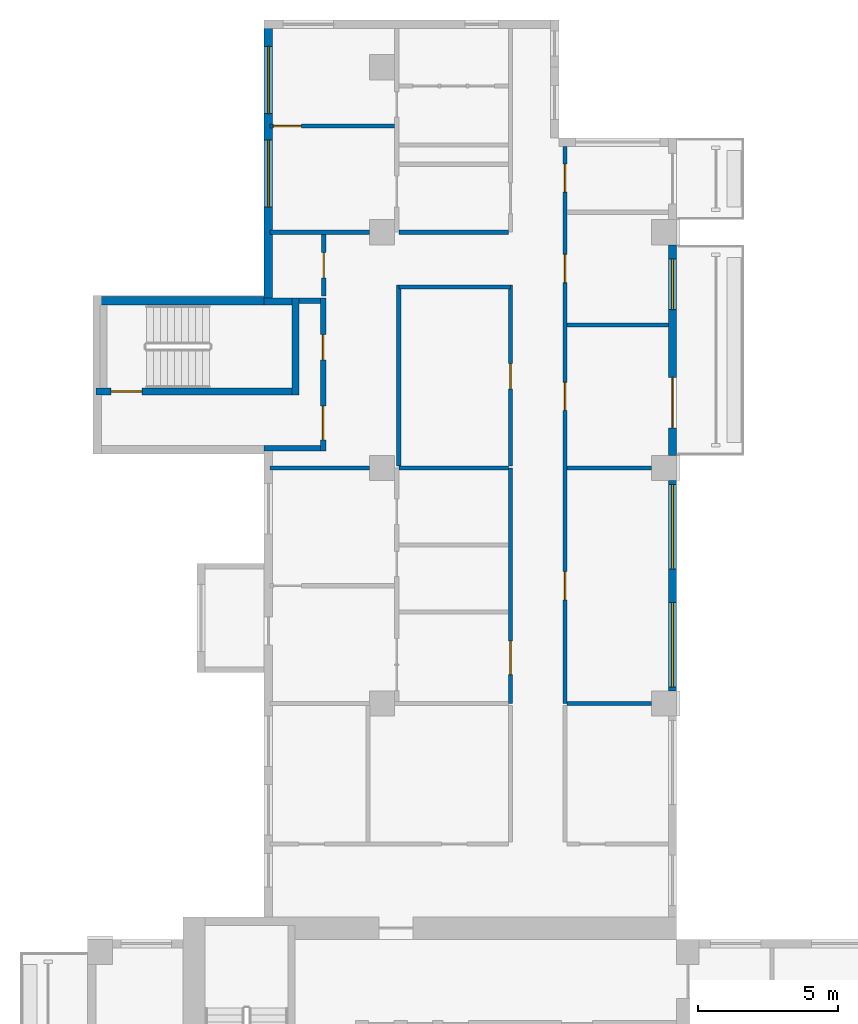
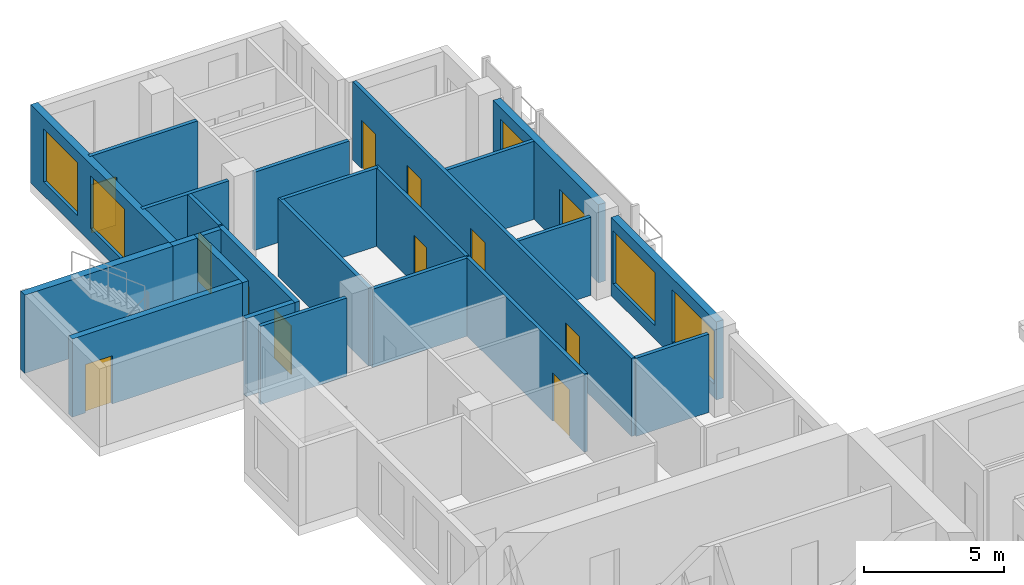
# One storey, part 7 of 12: 24 walls, 12 doors, 5 windows, 17 openings.
"""IFC4 building model written with IfcOpenShell, lengths in metres."""

from ifc_helpers import new_model, si_unit, direction, frame, frame_2d, origin, place, context, subcontext, project, spatial, rectangle, extrude, source, transform, mapped, material, layer, layer_set, type_object, element, fill, save


model = new_model("IFC4")

# Units and contexts
model_context = context("Model", 3, precision=1e-05, world=origin(), true_north=direction((0.0, 1.0)))
body_context = subcontext(model_context, "Body", "Model", "MODEL_VIEW")
ifc_project = project(units=[si_unit("LENGTHUNIT", "METRE"), si_unit("AREAUNIT", "SQUARE_METRE"), si_unit("VOLUMEUNIT", "CUBIC_METRE"), si_unit("PLANEANGLEUNIT", "RADIAN"), si_unit("MASSUNIT", "GRAM", prefix="KILO")], contexts=[model_context])

# Site, building, storey
site_placement = place(None, origin())
site = spatial("IfcSite", under=ifc_project, at=site_placement, CompositionType="ELEMENT")
building_placement = place(site_placement, origin())
building = spatial("IfcBuilding", under=site, at=building_placement, Name="Aurelian Terraces", CompositionType="ELEMENT")
storey_placement = place(building_placement, frame((0.0, 0.0, 200.6)))
storey = spatial("IfcBuildingStorey", under=building, at=storey_placement, Name="L44", CompositionType="ELEMENT", Elevation=200.6)

# Wall, openings, windows
ifc_material_1 = material(Name="Terracotta rainscreen cladding", Category="masonry")
ifc_layer_1 = layer(ifc_material_1, 0.3)
ifc_layer_set_1 = layer_set([ifc_layer_1], Name="EW-300")
wall_type_1 = type_object("IfcWallType", Name="EW-300", PredefinedType="STANDARD", material=ifc_layer_set_1)
shared_shape_1 = source(origin(), body_context, "Body", "SweptSolid", [
    extrude(rectangle(XDim=7.5, YDim=0.3, at=frame_2d((3.75, 0.0))), origin(), (0.0, 0.0, 1.0), 3.4),
])
wall_1_placement = place(storey_placement, frame((20.85, 29.85, 0.0), z_axis=(0.0, 0.0, 1.0), x_axis=(0.0, 1.0, 0.0)))
wall_1 = element("IfcWall", 1, at=wall_1_placement, inside=storey, type_object=wall_type_1, Name="External wall L44 F08.20", PredefinedType="STANDARD", context=body_context, shape_type="MappedRepresentation", body=[
    mapped(shared_shape_1, transform((0.0, 0.0, 0.0), scale=1.0)),
])
shared_shape_2 = source(origin(), body_context, "Body", "SweptSolid", [
    extrude(rectangle(XDim=3.0, YDim=2.3, at=frame_2d((1.5, 1.15))), frame((0.0, 0.16, 0.0), z_axis=(0.0, -1.0, 0.0), x_axis=(1.0, 0.0, 0.0)), (0.0, 0.0, 1.0), 0.32),
])
opening_1_placement = place(wall_1_placement, frame((0.15, 0.0, 0.6)))
opening_1 = element("IfcOpeningElement", 2, at=opening_1_placement, cuts=wall_1, Name="Opening W3023", PredefinedType="OPENING", context=body_context, shape_type="MappedRepresentation", body=[
    mapped(shared_shape_2, transform((0.0, 0.0, 0.0), scale=1.0)),
])
opening_2_placement = place(wall_1_placement, frame((4.35, 0.0, 0.6)))
opening_2 = element("IfcOpeningElement", 3, at=opening_2_placement, cuts=wall_1, Name="Opening W3023", PredefinedType="OPENING", context=body_context, shape_type="MappedRepresentation", body=[
    mapped(shared_shape_2, transform((0.0, 0.0, 0.0), scale=1.0)),
])
ifc_material_2 = material(Name="Clear glazing", Category="glass")
window_type_1 = type_object("IfcWindowType", Name="W-3000x2300", PartitioningType="SINGLE_PANEL", PredefinedType="WINDOW", material=ifc_material_2)
shared_shape_3 = source(origin(), body_context, "Body", "SweptSolid", [
    extrude(rectangle(XDim=3.0, YDim=2.3, at=frame_2d((1.5, 1.15))), frame((0.0, 0.03, 0.0), z_axis=(0.0, -1.0, 0.0), x_axis=(1.0, 0.0, 0.0)), (0.0, 0.0, 1.0), 0.06),
])
window_1_placement = place(opening_1_placement, origin())
window_1 = element("IfcWindow", 4, at=window_1_placement, inside=storey, type_object=window_type_1, Name="Window L44 L44-F08-20-0", OverallHeight=2.3, OverallWidth=3.0, PartitioningType="SINGLE_PANEL", PredefinedType="WINDOW", context=body_context, shape_type="MappedRepresentation", body=[
    mapped(shared_shape_3, transform((0.0, 0.0, 0.0), scale=1.0)),
])
fill(opening_1, window_1)
window_2_placement = place(opening_2_placement, origin())
window_2 = element("IfcWindow", 5, at=window_2_placement, inside=storey, type_object=window_type_1, Name="Window L44 L44-F08-20-1", OverallHeight=2.3, OverallWidth=3.0, PartitioningType="SINGLE_PANEL", PredefinedType="WINDOW", context=body_context, shape_type="MappedRepresentation", body=[
    mapped(shared_shape_3, transform((0.0, 0.0, 0.0), scale=1.0)),
])
fill(opening_2, window_2)

# Wall, openings, door, window
wall_2_placement = place(storey_placement, frame((20.85, 38.25, 0.0), z_axis=(0.0, 0.0, 1.0), x_axis=(0.0, 1.0, 0.0)))
wall_2 = element("IfcWall", 6, at=wall_2_placement, inside=storey, type_object=wall_type_1, Name="External wall L44 F08.21", PredefinedType="STANDARD", context=body_context, shape_type="MappedRepresentation", body=[
    mapped(shared_shape_1, transform((0.0, 0.0, 0.0), scale=1.0)),
])
shared_shape_4 = source(origin(), body_context, "Body", "SweptSolid", [
    extrude(rectangle(XDim=1.8, YDim=2.4, at=frame_2d((0.9, 1.2))), frame((0.0, 0.16, 0.0), z_axis=(0.0, -1.0, 0.0), x_axis=(1.0, 0.0, 0.0)), (0.0, 0.0, 1.0), 0.32),
])
opening_3_placement = place(wall_2_placement, frame((0.975, 0.0, 0.0)))
opening_3 = element("IfcOpeningElement", 7, at=opening_3_placement, cuts=wall_2, Name="Opening 84402", PredefinedType="OPENING", context=body_context, shape_type="MappedRepresentation", body=[
    mapped(shared_shape_4, transform((0.0, 0.0, 0.0), scale=1.0)),
])
shared_shape_5 = source(origin(), body_context, "Body", "SweptSolid", [
    extrude(rectangle(XDim=1.8, YDim=2.3, at=frame_2d((0.9, 1.15))), frame((0.0, 0.16, 0.0), z_axis=(0.0, -1.0, 0.0), x_axis=(1.0, 0.0, 0.0)), (0.0, 0.0, 1.0), 0.32),
])
opening_4_placement = place(wall_2_placement, frame((5.1855, 0.0, 0.6)))
opening_4 = element("IfcOpeningElement", 8, at=opening_4_placement, cuts=wall_2, Name="Opening W1823", PredefinedType="OPENING", context=body_context, shape_type="MappedRepresentation", body=[
    mapped(shared_shape_5, transform((0.0, 0.0, 0.0), scale=1.0)),
])
door_type_1 = type_object("IfcDoorType", Name="BD-1800x2400", OperationType="SLIDING_TO_LEFT", PredefinedType="DOOR", material=ifc_material_2)
shared_shape_6 = source(origin(), body_context, "Body", "SweptSolid", [
    extrude(rectangle(XDim=1.8, YDim=2.4, at=frame_2d((0.9, 1.2))), frame((0.0, 0.025, 0.0), z_axis=(0.0, -1.0, 0.0), x_axis=(1.0, 0.0, 0.0)), (0.0, 0.0, 1.0), 0.05),
])
door_1_placement = place(opening_3_placement, origin())
door_1 = element("IfcDoor", 9, at=door_1_placement, inside=storey, type_object=door_type_1, Name="Balcony door L44 F08.21", OperationType="SLIDING_TO_LEFT", OverallHeight=2.4, OverallWidth=1.8, PredefinedType="DOOR", context=body_context, shape_type="MappedRepresentation", body=[
    mapped(shared_shape_6, transform((0.0, 0.0, 0.0), scale=1.0)),
])
fill(opening_3, door_1)
window_type_2 = type_object("IfcWindowType", Name="W-1800x2300", PartitioningType="SINGLE_PANEL", PredefinedType="WINDOW", material=ifc_material_2)
shared_shape_7 = source(origin(), body_context, "Body", "SweptSolid", [
    extrude(rectangle(XDim=1.8, YDim=2.3, at=frame_2d((0.9, 1.15))), frame((0.0, 0.03, 0.0), z_axis=(0.0, -1.0, 0.0), x_axis=(1.0, 0.0, 0.0)), (0.0, 0.0, 1.0), 0.06),
])
window_3_placement = place(opening_4_placement, origin())
window_3 = element("IfcWindow", 10, at=window_3_placement, inside=storey, type_object=window_type_2, Name="Window L44 L44-F08-21-1", OverallHeight=2.3, OverallWidth=1.8, PartitioningType="SINGLE_PANEL", PredefinedType="WINDOW", context=body_context, shape_type="MappedRepresentation", body=[
    mapped(shared_shape_7, transform((0.0, 0.0, 0.0), scale=1.0)),
])
fill(opening_4, window_3)

# Wall
ifc_material_3 = material(Name="Concrete fc' 40 MPa", Category="concrete")
ifc_layer_2 = layer(ifc_material_3, 0.3)
ifc_layer_set_2 = layer_set([ifc_layer_2], Name="STAIR BAY WALL 300")
wall_type_2 = type_object("IfcWallType", Name="STAIR BAY WALL 300", PredefinedType="SOLIDWALL", material=ifc_layer_set_2)
shared_shape_8 = source(origin(), body_context, "Body", "SweptSolid", [
    extrude(rectangle(XDim=6.1, YDim=0.3, at=frame_2d((3.05, 0.0))), origin(), (0.0, 0.0, 1.0), 3.4),
])
wall_3_placement = place(storey_placement, frame((6.3, 43.75, 0.0), z_axis=(0.0, 0.0, 1.0), x_axis=(-1.0, 0.0, 0.0)))
element("IfcWall", 11, at=wall_3_placement, inside=storey, type_object=wall_type_2, Name="Stair bay wall L44 F13.28", PredefinedType="SOLIDWALL", context=body_context, shape_type="MappedRepresentation", body=[
    mapped(shared_shape_8, transform((0.0, 0.0, 0.0), scale=1.0)),
])

# Wall, openings, windows
shared_shape_9 = source(origin(), body_context, "Body", "SweptSolid", [
    extrude(rectangle(XDim=9.91, YDim=0.3, at=frame_2d((4.955, 0.0))), origin(), (0.0, 0.0, 1.0), 3.4),
])
wall_4_placement = place(storey_placement, frame((6.45, 53.76, 0.0), z_axis=(0.0, 0.0, 1.0), x_axis=(0.0, -1.0, 0.0)))
wall_4 = element("IfcWall", 12, at=wall_4_placement, inside=storey, type_object=wall_type_1, Name="External wall L44 F12.27", PredefinedType="STANDARD", context=body_context, shape_type="MappedRepresentation", body=[
    mapped(shared_shape_9, transform((0.0, 0.0, 0.0), scale=1.0)),
])
shared_shape_10 = source(origin(), body_context, "Body", "SweptSolid", [
    extrude(rectangle(XDim=2.4, YDim=2.3, at=frame_2d((1.2, 1.15))), frame((0.0, 0.16, 0.0), z_axis=(0.0, -1.0, 0.0), x_axis=(1.0, 0.0, 0.0)), (0.0, 0.0, 1.0), 0.32),
])
opening_5_placement = place(wall_4_placement, frame((4.2725, 0.0, 0.6)))
opening_5 = element("IfcOpeningElement", 13, at=opening_5_placement, cuts=wall_4, Name="Opening W2423", PredefinedType="OPENING", context=body_context, shape_type="MappedRepresentation", body=[
    mapped(shared_shape_10, transform((0.0, 0.0, 0.0), scale=1.0)),
])
opening_6_placement = place(wall_4_placement, frame((0.9363, 0.0, 0.6)))
opening_6 = element("IfcOpeningElement", 14, at=opening_6_placement, cuts=wall_4, Name="Opening W2423", PredefinedType="OPENING", context=body_context, shape_type="MappedRepresentation", body=[
    mapped(shared_shape_10, transform((0.0, 0.0, 0.0), scale=1.0)),
])
window_type_3 = type_object("IfcWindowType", Name="W-2400x2300", PartitioningType="SINGLE_PANEL", PredefinedType="WINDOW", material=ifc_material_2)
shared_shape_11 = source(origin(), body_context, "Body", "SweptSolid", [
    extrude(rectangle(XDim=2.4, YDim=2.3, at=frame_2d((1.2, 1.15))), frame((0.0, 0.03, 0.0), z_axis=(0.0, -1.0, 0.0), x_axis=(1.0, 0.0, 0.0)), (0.0, 0.0, 1.0), 0.06),
])
window_4_placement = place(opening_5_placement, origin())
window_4 = element("IfcWindow", 15, at=window_4_placement, inside=storey, type_object=window_type_3, Name="Window L44 L44-F12-27-1", OverallHeight=2.3, OverallWidth=2.4, PartitioningType="SINGLE_PANEL", PredefinedType="WINDOW", context=body_context, shape_type="MappedRepresentation", body=[
    mapped(shared_shape_11, transform((0.0, 0.0, 0.0), scale=1.0)),
])
fill(opening_5, window_4)
window_5_placement = place(opening_6_placement, origin())
window_5 = element("IfcWindow", 16, at=window_5_placement, inside=storey, type_object=window_type_3, Name="Window L44 L44-F12-27-G0-0", OverallHeight=2.3, OverallWidth=2.4, PartitioningType="SINGLE_PANEL", PredefinedType="WINDOW", context=body_context, shape_type="MappedRepresentation", body=[
    mapped(shared_shape_11, transform((0.0, 0.0, 0.0), scale=1.0)),
])
fill(opening_6, window_5)

# Wall, opening, door
ifc_layer_3 = layer(ifc_material_3, 0.25)
ifc_layer_set_3 = layer_set([ifc_layer_3], Name="Stair enclosure wall 250")
wall_type_3 = type_object("IfcWallType", Name="Stair enclosure wall 250", PredefinedType="SOLIDWALL", material=ifc_layer_set_3)
shared_shape_12 = source(origin(), body_context, "Body", "SweptSolid", [
    extrude(rectangle(XDim=7.0, YDim=0.25, at=frame_2d((3.5, 0.0))), origin(), (0.0, 0.0, 1.0), 3.4),
])
wall_5_placement = place(storey_placement, frame((0.3, 40.525, 0.0), z_axis=(0.0, 0.0, 1.0), x_axis=(1.0, 0.0, 0.0)))
wall_5 = element("IfcWall", 17, at=wall_5_placement, inside=storey, type_object=wall_type_3, Name="L44 core wall ST-S3-W", PredefinedType="SOLIDWALL", context=body_context, shape_type="MappedRepresentation", body=[
    mapped(shared_shape_12, transform((0.0, 0.0, 0.0), scale=1.0)),
])
shared_shape_13 = source(origin(), body_context, "Body", "SweptSolid", [
    extrude(rectangle(XDim=1.1, YDim=2.1, at=frame_2d((0.55, 1.05))), frame((0.0, 0.135, 0.0), z_axis=(0.0, -1.0, 0.0), x_axis=(1.0, 0.0, 0.0)), (0.0, 0.0, 1.0), 0.27),
])
opening_7_placement = place(wall_5_placement, frame((0.55, 0.0, 0.0)))
opening_7 = element("IfcOpeningElement", 18, at=opening_7_placement, cuts=wall_5, Name="Opening 64720", PredefinedType="OPENING", context=body_context, shape_type="MappedRepresentation", body=[
    mapped(shared_shape_13, transform((0.0, 0.0, 0.0), scale=1.0)),
])
ifc_material_4 = material(Name="Steel door leaf", Category="steel")
door_type_2 = type_object("IfcDoorType", Name="Core fire door 1100x2100 right", OperationType="SINGLE_SWING_RIGHT", PredefinedType="DOOR", material=ifc_material_4)
shared_shape_14 = source(origin(), body_context, "Body", "SweptSolid", [
    extrude(rectangle(XDim=1.1, YDim=2.1, at=frame_2d((0.55, 1.05))), frame((0.0, 0.025, 0.0), z_axis=(0.0, -1.0, 0.0), x_axis=(1.0, 0.0, 0.0)), (0.0, 0.0, 1.0), 0.05),
])
door_2_placement = place(opening_7_placement, origin())
door_2 = element("IfcDoor", 19, at=door_2_placement, inside=storey, type_object=door_type_2, Name="Stair door 64720", OperationType="SINGLE_SWING_RIGHT", OverallHeight=2.1, OverallWidth=1.1, PredefinedType="DOOR", context=body_context, shape_type="MappedRepresentation", body=[
    mapped(shared_shape_14, transform((0.0, 0.0, 0.0), scale=1.0)),
])
fill(opening_7, door_2)

# Wall
shared_shape_15 = source(origin(), body_context, "Body", "SweptSolid", [
    extrude(rectangle(XDim=3.45, YDim=0.25, at=frame_2d((1.725, 0.0))), origin(), (0.0, 0.0, 1.0), 3.4),
])
wall_6_placement = place(storey_placement, frame((7.425, 40.4, 0.0), z_axis=(0.0, 0.0, 1.0), x_axis=(0.0, 1.0, 0.0)))
element("IfcWall", 20, at=wall_6_placement, inside=storey, type_object=wall_type_3, Name="L44 core wall ST-S3-N", PredefinedType="SOLIDWALL", context=body_context, shape_type="MappedRepresentation", body=[
    mapped(shared_shape_15, transform((0.0, 0.0, 0.0), scale=1.0)),
])

# Wall, openings, doors
ifc_material_5 = material(Name="Gypsum board on steel studs", Category="steel")
ifc_layer_4 = layer(ifc_material_5, 0.2)
ifc_layer_set_4 = layer_set([ifc_layer_4], Name="Core partition 200")
wall_type_4 = type_object("IfcWallType", Name="Core partition 200", PredefinedType="PARTITIONING", material=ifc_layer_set_4)
shared_shape_16 = source(origin(), body_context, "Body", "SweptSolid", [
    extrude(rectangle(XDim=5.45, YDim=0.2, at=frame_2d((2.725, 0.0))), origin(), (0.0, 0.0, 1.0), 3.4),
])
wall_7_placement = place(storey_placement, frame((8.4, 38.4, 0.0), z_axis=(0.0, 0.0, 1.0), x_axis=(0.0, 1.0, 0.0)))
wall_7 = element("IfcWall", 21, at=wall_7_placement, inside=storey, type_object=wall_type_4, Name="L44 core wall ST-S3-BN", PredefinedType="PARTITIONING", context=body_context, shape_type="MappedRepresentation", body=[
    mapped(shared_shape_16, transform((0.0, 0.0, 0.0), scale=1.0)),
])
shared_shape_17 = source(origin(), body_context, "Body", "SweptSolid", [
    extrude(rectangle(XDim=1.2, YDim=2.1, at=frame_2d((0.6, 1.05))), frame((0.0, 0.11, 0.0), z_axis=(0.0, -1.0, 0.0), x_axis=(1.0, 0.0, 0.0)), (0.0, 0.0, 1.0), 0.22),
])
opening_8_placement = place(wall_7_placement, frame((0.4, 0.0, 0.0)))
opening_8 = element("IfcOpeningElement", 22, at=opening_8_placement, cuts=wall_7, Name="Opening 64721", PredefinedType="OPENING", context=body_context, shape_type="MappedRepresentation", body=[
    mapped(shared_shape_17, transform((0.0, 0.0, 0.0), scale=1.0)),
])
shared_shape_18 = source(origin(), body_context, "Body", "SweptSolid", [
    extrude(rectangle(XDim=0.9, YDim=2.1, at=frame_2d((0.45, 1.05))), frame((0.0, 0.11, 0.0), z_axis=(0.0, -1.0, 0.0), x_axis=(1.0, 0.0, 0.0)), (0.0, 0.0, 1.0), 0.22),
])
opening_9_placement = place(wall_7_placement, frame((3.25, 0.0, 0.0)))
opening_9 = element("IfcOpeningElement", 23, at=opening_9_placement, cuts=wall_7, Name="Opening 64722", PredefinedType="OPENING", context=body_context, shape_type="MappedRepresentation", body=[
    mapped(shared_shape_18, transform((0.0, 0.0, 0.0), scale=1.0)),
])
door_type_3 = type_object("IfcDoorType", Name="Core riser door 900x2100 right", OperationType="SINGLE_SWING_RIGHT", PredefinedType="DOOR", material=ifc_material_4)
shared_shape_19 = source(origin(), body_context, "Body", "SweptSolid", [
    extrude(rectangle(XDim=0.9, YDim=2.1, at=frame_2d((0.45, 1.05))), frame((0.0, 0.025, 0.0), z_axis=(0.0, -1.0, 0.0), x_axis=(1.0, 0.0, 0.0)), (0.0, 0.0, 1.0), 0.05),
])
door_3_placement = place(opening_9_placement, origin())
door_3 = element("IfcDoor", 24, at=door_3_placement, inside=storey, type_object=door_type_3, Name="Riser door 64722", OperationType="SINGLE_SWING_RIGHT", OverallHeight=2.1, OverallWidth=0.9, PredefinedType="DOOR", context=body_context, shape_type="MappedRepresentation", body=[
    mapped(shared_shape_19, transform((0.0, 0.0, 0.0), scale=1.0)),
])
fill(opening_9, door_3)
door_type_4 = type_object("IfcDoorType", Name="Core fire door 1200x2100", OperationType="SINGLE_SWING_LEFT", PredefinedType="DOOR", material=ifc_material_4)
shared_shape_20 = source(origin(), body_context, "Body", "SweptSolid", [
    extrude(rectangle(XDim=1.2, YDim=2.1, at=frame_2d((0.6, 1.05))), frame((0.0, 0.025, 0.0), z_axis=(0.0, -1.0, 0.0), x_axis=(1.0, 0.0, 0.0)), (0.0, 0.0, 1.0), 0.05),
])
door_4_placement = place(opening_8_placement, origin())
door_4 = element("IfcDoor", 25, at=door_4_placement, inside=storey, type_object=door_type_4, Name="Vestibule door 64721", OperationType="SINGLE_SWING_LEFT", OverallHeight=2.1, OverallWidth=1.2, PredefinedType="DOOR", context=body_context, shape_type="MappedRepresentation", body=[
    mapped(shared_shape_20, transform((0.0, 0.0, 0.0), scale=1.0)),
])
fill(opening_8, door_4)

# Walls
shared_shape_21 = source(origin(), body_context, "Body", "SweptSolid", [
    extrude(rectangle(XDim=0.75, YDim=0.2, at=frame_2d((0.375, 0.0))), origin(), (0.0, 0.0, 1.0), 3.4),
])
wall_8_placement = place(storey_placement, frame((7.55, 43.75, 0.0), z_axis=(0.0, 0.0, 1.0), x_axis=(1.0, 0.0, 0.0)))
element("IfcWall", 26, at=wall_8_placement, inside=storey, type_object=wall_type_4, Name="L44 core wall ST-S3-RE", PredefinedType="PARTITIONING", context=body_context, shape_type="MappedRepresentation", body=[
    mapped(shared_shape_21, transform((0.0, 0.0, 0.0), scale=1.0)),
])
shared_shape_22 = source(origin(), body_context, "Body", "SweptSolid", [
    extrude(rectangle(XDim=1.0, YDim=0.25, at=frame_2d((0.5, 0.0))), origin(), (0.0, 0.0, 1.0), 3.4),
])
wall_9_placement = place(storey_placement, frame((6.3, 43.725, 0.0), z_axis=(0.0, 0.0, 1.0), x_axis=(1.0, 0.0, 0.0)))
element("IfcWall", 27, at=wall_9_placement, inside=storey, type_object=wall_type_3, Name="L44 core wall ST-S3-E", PredefinedType="SOLIDWALL", context=body_context, shape_type="MappedRepresentation", body=[
    mapped(shared_shape_22, transform((0.0, 0.0, 0.0), scale=1.0)),
])
shared_shape_23 = source(origin(), body_context, "Body", "SweptSolid", [
    extrude(rectangle(XDim=2.0, YDim=0.2, at=frame_2d((1.0, 0.0))), origin(), (0.0, 0.0, 1.0), 3.4),
])
wall_10_placement = place(storey_placement, frame((6.3, 38.5, 0.0), z_axis=(0.0, 0.0, 1.0), x_axis=(1.0, 0.0, 0.0)))
element("IfcWall", 28, at=wall_10_placement, inside=storey, type_object=wall_type_4, Name="L44 core wall ST-S3-VW", PredefinedType="PARTITIONING", context=body_context, shape_type="MappedRepresentation", body=[
    mapped(shared_shape_23, transform((0.0, 0.0, 0.0), scale=1.0)),
])
ifc_layer_5 = layer(ifc_material_5, 0.15)
ifc_layer_set_5 = layer_set([ifc_layer_5], Name="Partition 150")
wall_type_5 = type_object("IfcWallType", Name="Partition 150", PredefinedType="PARTITIONING", material=ifc_layer_set_5)
shared_shape_24 = source(origin(), body_context, "Body", "SweptSolid", [
    extrude(rectangle(XDim=6.45, YDim=0.15, at=frame_2d((3.225, 0.0))), origin(), (0.0, 0.0, 1.0), 3.4),
])
wall_11_placement = place(storey_placement, frame((11.1, 44.325, 0.0), z_axis=(0.0, 0.0, 1.0), x_axis=(0.0, -1.0, 0.0)))
element("IfcWall", 29, at=wall_11_placement, inside=storey, type_object=wall_type_5, Name="Partition", PredefinedType="PARTITIONING", context=body_context, shape_type="MappedRepresentation", body=[
    mapped(shared_shape_24, transform((0.0, 0.0, 0.0), scale=1.0)),
])

# Wall, opening, door
ifc_layer_6 = layer(ifc_material_5, 0.15)
ifc_layer_set_6 = layer_set([ifc_layer_6], Name="Fire partition 150")
wall_type_6 = type_object("IfcWallType", Name="Fire partition 150", PredefinedType="PARTITIONING", material=ifc_layer_set_6)
wall_12_placement = place(storey_placement, frame((15.075, 37.875, 0.0), z_axis=(0.0, 0.0, 1.0), x_axis=(0.0, 1.0, 0.0)))
wall_12 = element("IfcWall", 30, at=wall_12_placement, inside=storey, type_object=wall_type_6, Name="Corridor wall", PredefinedType="PARTITIONING", context=body_context, shape_type="MappedRepresentation", body=[
    mapped(shared_shape_24, transform((0.0, 0.0, 0.0), scale=1.0)),
])
shared_shape_25 = source(origin(), body_context, "Body", "SweptSolid", [
    extrude(rectangle(XDim=0.9, YDim=2.1, at=frame_2d((0.45, 1.05))), frame((0.0, 0.085, 0.0), z_axis=(0.0, -1.0, 0.0), x_axis=(1.0, 0.0, 0.0)), (0.0, 0.0, 1.0), 0.17),
])
opening_10_placement = place(wall_12_placement, frame((2.7375, 0.0, 0.0)))
opening_10 = element("IfcOpeningElement", 31, at=opening_10_placement, cuts=wall_12, Name="Opening 744022", PredefinedType="OPENING", context=body_context, shape_type="MappedRepresentation", body=[
    mapped(shared_shape_25, transform((0.0, 0.0, 0.0), scale=1.0)),
])
ifc_material_6 = material(Name="Timber door leaf", Category="wood")
door_type_5 = type_object("IfcDoorType", Name="Room door 900x2100 left", OperationType="SINGLE_SWING_LEFT", PredefinedType="DOOR", material=ifc_material_6)
door_5_placement = place(opening_10_placement, origin())
door_5 = element("IfcDoor", 32, at=door_5_placement, inside=storey, type_object=door_type_5, Name="Door 744022", OperationType="SINGLE_SWING_LEFT", OverallHeight=2.1, OverallWidth=0.9, PredefinedType="DOOR", context=body_context, shape_type="MappedRepresentation", body=[
    mapped(shared_shape_19, transform((0.0, 0.0, 0.0), scale=1.0)),
])
fill(opening_10, door_5)

# Walls
shared_shape_26 = source(origin(), body_context, "Body", "SweptSolid", [
    extrude(rectangle(XDim=3.9, YDim=0.15, at=frame_2d((1.95, 0.0))), origin(), (0.0, 0.0, 1.0), 3.4),
])
for number, where, z_axis, x_axis, name in (
    (33, (15.0, 37.8, 0.0), (0.0, 0.0, 1.0), (-1.0, 0.0, 0.0), "Party wall"),
    (34, (15.0, 46.2, 0.0), (0.0, 0.0, 1.0), (-1.0, 0.0, 0.0), "Party wall"),
):
    element("IfcWall", number, at=place(storey_placement, frame(where, z_axis=z_axis, x_axis=x_axis)), inside=storey, type_object=wall_type_6, Name=name, PredefinedType="PARTITIONING", context=body_context, shape_type="MappedRepresentation", body=[
        mapped(shared_shape_26, transform((0.0, 0.0, 0.0), scale=1.0)),
    ])
shared_shape_27 = source(origin(), body_context, "Body", "SweptSolid", [
    extrude(rectangle(XDim=3.6, YDim=0.15, at=frame_2d((1.8, 0.0))), origin(), (0.0, 0.0, 1.0), 3.4),
])
wall_13_placement = place(storey_placement, frame((17.1, 42.8959, 0.0), z_axis=(0.0, 0.0, 1.0), x_axis=(1.0, 0.0, 0.0)))
element("IfcWall", 35, at=wall_13_placement, inside=storey, type_object=wall_type_5, Name="Partition", PredefinedType="PARTITIONING", context=body_context, shape_type="MappedRepresentation", body=[
    mapped(shared_shape_27, transform((0.0, 0.0, 0.0), scale=1.0)),
])

# Wall, opening, door
shared_shape_28 = source(origin(), body_context, "Body", "SweptSolid", [
    extrude(rectangle(XDim=8.4, YDim=0.15, at=frame_2d((4.2, 0.0))), origin(), (0.0, 0.0, 1.0), 3.4),
])
wall_14_placement = place(storey_placement, frame((15.075, 29.4, 0.0), z_axis=(0.0, 0.0, 1.0), x_axis=(0.0, 1.0, 0.0)))
wall_14 = element("IfcWall", 36, at=wall_14_placement, inside=storey, type_object=wall_type_6, Name="Corridor wall", PredefinedType="PARTITIONING", context=body_context, shape_type="MappedRepresentation", body=[
    mapped(shared_shape_28, transform((0.0, 0.0, 0.0), scale=1.0)),
])
shared_shape_29 = source(origin(), body_context, "Body", "SweptSolid", [
    extrude(rectangle(XDim=1.2, YDim=2.1, at=frame_2d((0.6, 1.05))), frame((0.0, 0.085, 0.0), z_axis=(0.0, -1.0, 0.0), x_axis=(1.0, 0.0, 0.0)), (0.0, 0.0, 1.0), 0.17),
])
opening_11_placement = place(wall_14_placement, frame((1.0302, 0.0, 0.0)))
opening_11 = element("IfcOpeningElement", 37, at=opening_11_placement, cuts=wall_14, Name="Opening 744024", PredefinedType="OPENING", context=body_context, shape_type="MappedRepresentation", body=[
    mapped(shared_shape_29, transform((0.0, 0.0, 0.0), scale=1.0)),
])
door_type_6 = type_object("IfcDoorType", Name="Entrance fire door 1200x2100 right", OperationType="SINGLE_SWING_RIGHT", PredefinedType="DOOR", material=ifc_material_4)
door_6_placement = place(opening_11_placement, origin())
door_6 = element("IfcDoor", 38, at=door_6_placement, inside=storey, type_object=door_type_6, Name="Door 744024", OperationType="SINGLE_SWING_RIGHT", OverallHeight=2.1, OverallWidth=1.2, PredefinedType="DOOR", context=body_context, shape_type="MappedRepresentation", body=[
    mapped(shared_shape_20, transform((0.0, 0.0, 0.0), scale=1.0)),
])
fill(opening_11, door_6)

# Walls
shared_shape_30 = source(origin(), body_context, "Body", "SweptSolid", [
    extrude(rectangle(XDim=3.001, YDim=0.15, at=frame_2d((1.5005, 0.0))), origin(), (0.0, 0.0, 1.0), 3.4),
])
wall_15_placement = place(storey_placement, frame((20.101, 29.4, 0.0), z_axis=(0.0, 0.0, 1.0), x_axis=(-1.0, 0.0, 0.0)))
element("IfcWall", 39, at=wall_15_placement, inside=storey, type_object=wall_type_5, Name="Partition", PredefinedType="PARTITIONING", context=body_context, shape_type="MappedRepresentation", body=[
    mapped(shared_shape_30, transform((0.0, 0.0, 0.0), scale=1.0)),
])
wall_16_placement = place(storey_placement, frame((20.101, 37.8, 0.0), z_axis=(0.0, 0.0, 1.0), x_axis=(-1.0, 0.0, 0.0)))
element("IfcWall", 40, at=wall_16_placement, inside=storey, type_object=wall_type_6, Name="Party wall", PredefinedType="PARTITIONING", context=body_context, shape_type="MappedRepresentation", body=[
    mapped(shared_shape_30, transform((0.0, 0.0, 0.0), scale=1.0)),
])

# Wall, opening, door
shared_shape_31 = source(origin(), body_context, "Body", "SweptSolid", [
    extrude(rectangle(XDim=2.2, YDim=0.15, at=frame_2d((1.1, 0.0))), origin(), (0.0, 0.0, 1.0), 3.4),
])
wall_17_placement = place(storey_placement, frame((8.425, 43.925, 0.0), z_axis=(0.0, 0.0, 1.0), x_axis=(0.0, 1.0, 0.0)))
wall_17 = element("IfcWall", 41, at=wall_17_placement, inside=storey, type_object=wall_type_5, Name="Partition", PredefinedType="PARTITIONING", context=body_context, shape_type="MappedRepresentation", body=[
    mapped(shared_shape_31, transform((0.0, 0.0, 0.0), scale=1.0)),
])
opening_12_placement = place(wall_17_placement, frame((0.65, 0.0, 0.0)))
opening_12 = element("IfcOpeningElement", 42, at=opening_12_placement, cuts=wall_17, Name="Opening 744023", PredefinedType="OPENING", context=body_context, shape_type="MappedRepresentation", body=[
    mapped(shared_shape_25, transform((0.0, 0.0, 0.0), scale=1.0)),
])
door_7_placement = place(opening_12_placement, origin())
door_7 = element("IfcDoor", 43, at=door_7_placement, inside=storey, type_object=door_type_5, Name="Door 744023", OperationType="SINGLE_SWING_LEFT", OverallHeight=2.1, OverallWidth=0.9, PredefinedType="DOOR", context=body_context, shape_type="MappedRepresentation", body=[
    mapped(shared_shape_19, transform((0.0, 0.0, 0.0), scale=1.0)),
])
fill(opening_12, door_7)

# Walls
shared_shape_32 = source(origin(), body_context, "Body", "SweptSolid", [
    extrude(rectangle(XDim=3.546, YDim=0.15, at=frame_2d((1.773, 0.0))), origin(), (0.0, 0.0, 1.0), 3.4),
])
for number, where, z_axis, x_axis, name in (
    (44, (10.051, 37.8, 0.0), (0.0, 0.0, 1.0), (-1.0, 0.0, 0.0), "Party wall"),
    (45, (10.051, 46.2, 0.0), (0.0, 0.0, 1.0), (-1.0, 0.0, 0.0), "Party wall"),
):
    element("IfcWall", number, at=place(storey_placement, frame(where, z_axis=z_axis, x_axis=x_axis)), inside=storey, type_object=wall_type_6, Name=name, PredefinedType="PARTITIONING", context=body_context, shape_type="MappedRepresentation", body=[
        mapped(shared_shape_32, transform((0.0, 0.0, 0.0), scale=1.0)),
    ])
shared_shape_33 = source(origin(), body_context, "Body", "SweptSolid", [
    extrude(rectangle(XDim=3.975, YDim=0.15, at=frame_2d((1.9875, 0.0))), origin(), (0.0, 0.0, 1.0), 3.4),
])
wall_18_placement = place(storey_placement, frame((15.075, 44.25, 0.0), z_axis=(0.0, 0.0, 1.0), x_axis=(-1.0, 0.0, 0.0)))
element("IfcWall", 46, at=wall_18_placement, inside=storey, type_object=wall_type_5, Name="Partition", PredefinedType="PARTITIONING", context=body_context, shape_type="MappedRepresentation", body=[
    mapped(shared_shape_33, transform((0.0, 0.0, 0.0), scale=1.0)),
])

# Wall, opening, door
shared_shape_34 = source(origin(), body_context, "Body", "SweptSolid", [
    extrude(rectangle(XDim=4.445, YDim=0.15, at=frame_2d((2.2225, 0.0))), origin(), (0.0, 0.0, 1.0), 3.4),
])
wall_19_placement = place(storey_placement, frame((10.95, 49.98, 0.0), z_axis=(0.0, 0.0, 1.0), x_axis=(-1.0, 0.0, 0.0)))
wall_19 = element("IfcWall", 47, at=wall_19_placement, inside=storey, type_object=wall_type_5, Name="Partition", PredefinedType="PARTITIONING", context=body_context, shape_type="MappedRepresentation", body=[
    mapped(shared_shape_34, transform((0.0, 0.0, 0.0), scale=1.0)),
])
shared_shape_35 = source(origin(), body_context, "Body", "SweptSolid", [
    extrude(rectangle(XDim=1.0, YDim=2.1, at=frame_2d((0.5, 1.05))), frame((0.0, 0.085, 0.0), z_axis=(0.0, -1.0, 0.0), x_axis=(1.0, 0.0, 0.0)), (0.0, 0.0, 1.0), 0.17),
])
opening_13_placement = place(wall_19_placement, frame((3.325, 0.0, 0.0)))
opening_13 = element("IfcOpeningElement", 48, at=opening_13_placement, cuts=wall_19, Name="Opening 744033", PredefinedType="OPENING", context=body_context, shape_type="MappedRepresentation", body=[
    mapped(shared_shape_35, transform((0.0, 0.0, 0.0), scale=1.0)),
])
door_type_7 = type_object("IfcDoorType", Name="Room door 1000x2100 left", OperationType="SINGLE_SWING_LEFT", PredefinedType="DOOR", material=ifc_material_6)
shared_shape_36 = source(origin(), body_context, "Body", "SweptSolid", [
    extrude(rectangle(XDim=1.0, YDim=2.1, at=frame_2d((0.5, 1.05))), frame((0.0, 0.025, 0.0), z_axis=(0.0, -1.0, 0.0), x_axis=(1.0, 0.0, 0.0)), (0.0, 0.0, 1.0), 0.05),
])
door_8_placement = place(opening_13_placement, origin())
door_8 = element("IfcDoor", 49, at=door_8_placement, inside=storey, type_object=door_type_7, Name="Door 744033", OperationType="SINGLE_SWING_LEFT", OverallHeight=2.1, OverallWidth=1.0, PredefinedType="DOOR", context=body_context, shape_type="MappedRepresentation", body=[
    mapped(shared_shape_36, transform((0.0, 0.0, 0.0), scale=1.0)),
])
fill(opening_13, door_8)

# Wall, openings, doors
shared_shape_37 = source(origin(), body_context, "Body", "SweptSolid", [
    extrude(rectangle(XDim=19.86, YDim=0.15, at=frame_2d((9.93, 0.0))), origin(), (0.0, 0.0, 1.0), 3.4),
])
wall_20_placement = place(storey_placement, frame((17.025, 49.26, 0.0), z_axis=(0.0, 0.0, 1.0), x_axis=(0.0, -1.0, 0.0)))
wall_20 = element("IfcWall", 50, at=wall_20_placement, inside=storey, type_object=wall_type_6, Name="Corridor wall", PredefinedType="PARTITIONING", context=body_context, shape_type="MappedRepresentation", body=[
    mapped(shared_shape_37, transform((0.0, 0.0, 0.0), scale=1.0)),
])
opening_14_placement = place(wall_20_placement, frame((15.16, 0.0, 0.0)))
opening_14 = element("IfcOpeningElement", 51, at=opening_14_placement, cuts=wall_20, Name="Opening 744034", PredefinedType="OPENING", context=body_context, shape_type="MappedRepresentation", body=[
    mapped(shared_shape_35, transform((0.0, 0.0, 0.0), scale=1.0)),
])
opening_15_placement = place(wall_20_placement, frame((8.4121, 0.0, 0.0)))
opening_15 = element("IfcOpeningElement", 52, at=opening_15_placement, cuts=wall_20, Name="Opening 744035", PredefinedType="OPENING", context=body_context, shape_type="MappedRepresentation", body=[
    mapped(shared_shape_35, transform((0.0, 0.0, 0.0), scale=1.0)),
])
opening_16_placement = place(wall_20_placement, frame((3.8558, 0.0, 0.0)))
opening_16 = element("IfcOpeningElement", 53, at=opening_16_placement, cuts=wall_20, Name="Opening 744036", PredefinedType="OPENING", context=body_context, shape_type="MappedRepresentation", body=[
    mapped(shared_shape_35, transform((0.0, 0.0, 0.0), scale=1.0)),
])
opening_17_placement = place(wall_20_placement, frame((0.6362, 0.0, 0.0)))
opening_17 = element("IfcOpeningElement", 54, at=opening_17_placement, cuts=wall_20, Name="Opening 744037", PredefinedType="OPENING", context=body_context, shape_type="MappedRepresentation", body=[
    mapped(shared_shape_35, transform((0.0, 0.0, 0.0), scale=1.0)),
])
door_type_8 = type_object("IfcDoorType", Name="Entrance fire door 1000x2100 right", OperationType="SINGLE_SWING_RIGHT", PredefinedType="DOOR", material=ifc_material_4)
door_9_placement = place(opening_14_placement, origin())
door_9 = element("IfcDoor", 55, at=door_9_placement, inside=storey, type_object=door_type_8, Name="Door 744034", OperationType="SINGLE_SWING_RIGHT", OverallHeight=2.1, OverallWidth=1.0, PredefinedType="DOOR", context=body_context, shape_type="MappedRepresentation", body=[
    mapped(shared_shape_36, transform((0.0, 0.0, 0.0), scale=1.0)),
])
fill(opening_14, door_9)
door_10_placement = place(opening_15_placement, origin())
door_10 = element("IfcDoor", 56, at=door_10_placement, inside=storey, type_object=door_type_8, Name="Door 744035", OperationType="SINGLE_SWING_RIGHT", OverallHeight=2.1, OverallWidth=1.0, PredefinedType="DOOR", context=body_context, shape_type="MappedRepresentation", body=[
    mapped(shared_shape_36, transform((0.0, 0.0, 0.0), scale=1.0)),
])
fill(opening_15, door_10)
door_type_9 = type_object("IfcDoorType", Name="Entrance fire door 1000x2100 left", OperationType="SINGLE_SWING_LEFT", PredefinedType="DOOR", material=ifc_material_4)
door_11_placement = place(opening_16_placement, origin())
door_11 = element("IfcDoor", 57, at=door_11_placement, inside=storey, type_object=door_type_9, Name="Door 744036", OperationType="SINGLE_SWING_LEFT", OverallHeight=2.1, OverallWidth=1.0, PredefinedType="DOOR", context=body_context, shape_type="MappedRepresentation", body=[
    mapped(shared_shape_36, transform((0.0, 0.0, 0.0), scale=1.0)),
])
fill(opening_16, door_11)
door_12_placement = place(opening_17_placement, origin())
door_12 = element("IfcDoor", 58, at=door_12_placement, inside=storey, type_object=door_type_8, Name="Door 744037", OperationType="SINGLE_SWING_RIGHT", OverallHeight=2.1, OverallWidth=1.0, PredefinedType="DOOR", context=body_context, shape_type="MappedRepresentation", body=[
    mapped(shared_shape_36, transform((0.0, 0.0, 0.0), scale=1.0)),
])
fill(opening_17, door_12)

save(model, "model.ifc")
